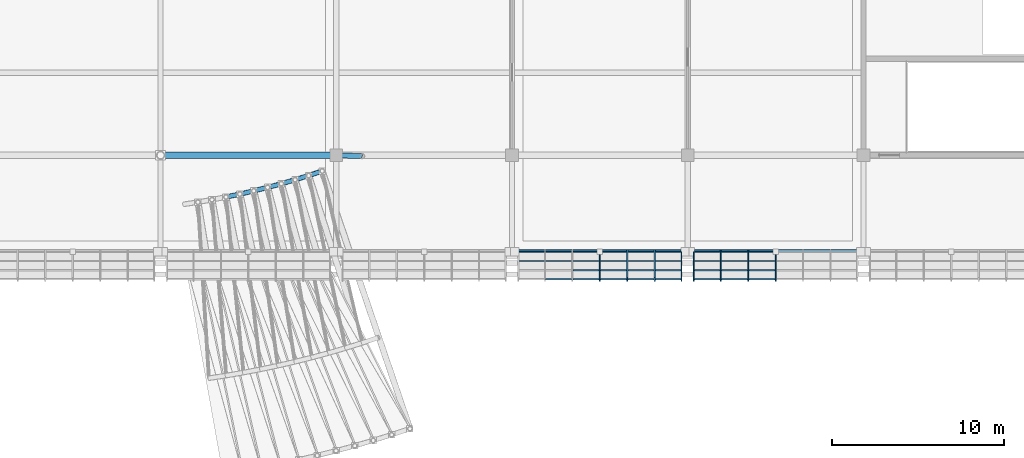
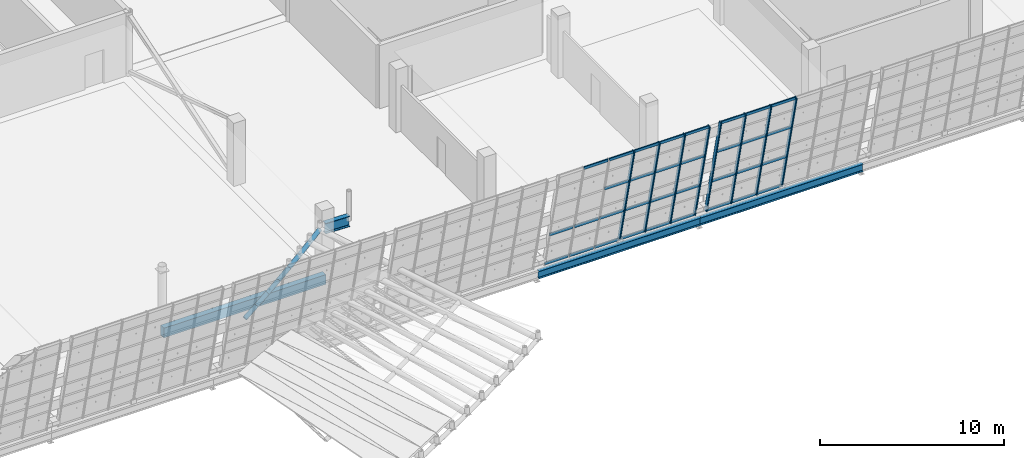
# One storey, part 51 of 157: 48 members, 4 beams, 2 elements without a shape of their own.
"""IFC4 building model written with IfcOpenShell, lengths in metres."""

import ifcopenshell
import ifcopenshell.guid

model = None  # the IFC model being written
_history = None  # IfcOwnerHistory: only IFC2X3 demands one
_inside = {}  # id of a spatial element -> (the spatial element, [elements in it])
_under = {}  # id of a project, library or spatial element -> (it, [spatial elements below it])
_declared = {}  # id of a project -> (the project, [libraries it declares])
_typed = {}  # id of a type object -> (the type object, [elements of that type])
_made_of = {}  # id of a material, layer set ... -> (it, [elements and type objects made of it])


def new_model(schema):
    """Start an empty IFC model of exactly this schema.

    Asked for "IFC4X3", IfcOpenShell would pick the latest addendum, in which some entities
    have other attributes; the version numbers below select the first issue.
    IFC2X3 requires an IfcOwnerHistory on every rooted entity: one is made here for all.
    """
    global model, _history
    if schema == "IFC4X3":
        model = ifcopenshell.file(schema_version=(4, 3, 0, 0))
    else:
        model = ifcopenshell.file(schema=schema)
    _inside.clear()
    _under.clear()
    _declared.clear()
    _typed.clear()
    _made_of.clear()
    _history = None
    if model.schema == "IFC2X3":
        org = make("IfcOrganization", Name="unknown")
        user = make(
            "IfcPersonAndOrganization",
            ThePerson=make("IfcPerson", FamilyName="unknown"),
            TheOrganization=org,
        )
        app = make(
            "IfcApplication",
            ApplicationDeveloper=org,
            Version="unknown",
            ApplicationFullName="unknown",
            ApplicationIdentifier="unknown",
        )
        _history = make(
            "IfcOwnerHistory",
            OwningUser=user,
            OwningApplication=app,
            ChangeAction="ADDED",
            CreationDate=0,
        )
    return model


def make(cls, **values):
    """One entity of the class cls with the attributes given. An attribute that is None is left unset."""
    return model.create_entity(
        cls, **{name: value for name, value in values.items() if value is not None}
    )


def rooted(cls, **values):
    """An entity with a GlobalId (a new one), such as an element, a storey or a relation."""
    return make(cls, GlobalId=ifcopenshell.guid.new(), OwnerHistory=_history, **values)


def si_unit(unit_type, name, prefix=None):
    """IfcSIUnit, for example si_unit("LENGTHUNIT", "METRE", prefix="MILLI")."""
    return make("IfcSIUnit", UnitType=unit_type, Prefix=prefix, Name=name)


def assignment(units):
    """IfcUnitAssignment: the units of a project."""
    return None if units is None else make("IfcUnitAssignment", Units=units)


def point(xyz):
    """IfcCartesianPoint."""
    return None if xyz is None else make("IfcCartesianPoint", Coordinates=xyz)


def direction(xyz):
    """IfcDirection."""
    return None if xyz is None else make("IfcDirection", DirectionRatios=xyz)


def frame(location, z_axis=None, x_axis=None):
    """IfcAxis2Placement3D, a coordinate frame: its origin and axes. An axis left out is left unset."""
    return make(
        "IfcAxis2Placement3D",
        Location=point(location),
        Axis=direction(z_axis),
        RefDirection=direction(x_axis),
    )


def frame_2d(location, x_axis=None):
    """IfcAxis2Placement2D, a coordinate frame in the plane: its origin and x axis."""
    return make(
        "IfcAxis2Placement2D", Location=point(location), RefDirection=direction(x_axis)
    )


def origin():
    """The frame at (0, 0, 0) with its axes left unset."""
    return frame((0.0, 0.0, 0.0))


def origin_2d():
    """The frame at (0, 0) in the plane with its x axis left unset."""
    return frame_2d((0.0, 0.0))


def place(relative_to, where):
    """IfcLocalPlacement: puts the frame where relative to a parent placement (None: the world)."""
    return make(
        "IfcLocalPlacement", PlacementRelTo=relative_to, RelativePlacement=where
    )


def context(
    kind, dimensions, precision=None, world=None, true_north=None, identifier=None
):
    """IfcGeometricRepresentationContext, for example the 3D "Model" context."""
    return make(
        "IfcGeometricRepresentationContext",
        ContextIdentifier=identifier,
        ContextType=kind,
        CoordinateSpaceDimension=dimensions,
        Precision=precision,
        WorldCoordinateSystem=world,
        TrueNorth=true_north,
    )


def subcontext(parent, identifier, kind, view, scale=None):
    """IfcGeometricRepresentationSubContext, for example "Body" below "Model"."""
    return make(
        "IfcGeometricRepresentationSubContext",
        ContextIdentifier=identifier,
        ContextType=kind,
        ParentContext=parent,
        TargetScale=scale,
        TargetView=view,
    )


def project(units=None, contexts=None):
    """IfcProject with its units and contexts."""
    return rooted(
        "IfcProject",
        Name="project",
        RepresentationContexts=contexts,
        UnitsInContext=assignment(units),
    )


def spatial(cls, under=None, at=None, **own):
    """A site, building, storey or space (cls), placed at a placement, below another one or the project."""
    s = rooted(cls, ObjectPlacement=at, **own)
    if under is not None:
        _under.setdefault(under.id(), (under, []))[1].append(s)
    return s


def profile(cls, at=None, kind="AREA", **sizes):
    """A parametric profile (cls). Its sizes go by their IFC names, for example OverallWidth=200.0."""
    return make(cls, ProfileType=kind, Position=at, **sizes)


def rectangle(**sizes):
    """IfcRectangleProfileDef."""
    return profile("IfcRectangleProfileDef", **sizes)


def hollow_rectangle(**sizes):
    """IfcRectangleHollowProfileDef."""
    return profile("IfcRectangleHollowProfileDef", **sizes)


def hollow_circle(**sizes):
    """IfcCircleHollowProfileDef."""
    return profile("IfcCircleHollowProfileDef", **sizes)


def i_section(**sizes):
    """IfcIShapeProfileDef."""
    return profile("IfcIShapeProfileDef", **sizes)


def extrude(swept, where, along, depth):
    """IfcExtrudedAreaSolid: the profile swept, set in the frame where, extruded along a direction by depth."""
    return make(
        "IfcExtrudedAreaSolid",
        SweptArea=swept,
        Position=where,
        ExtrudedDirection=direction(along),
        Depth=depth,
    )


def shape(context_of_items, identifier, shape_type, items):
    """IfcShapeRepresentation: the items that make up one representation, for example the "Body"."""
    return make(
        "IfcShapeRepresentation",
        ContextOfItems=context_of_items,
        RepresentationIdentifier=identifier,
        RepresentationType=shape_type,
        Items=items,
    )


def material(Name=None, Category=None):
    """IfcMaterial."""
    return make("IfcMaterial", Name=Name, Category=Category)


def material_profile(
    of_material, cross_section, Name=None, Category=None, Priority=None
):
    """IfcMaterialProfile: a cross section and its material."""
    return make(
        "IfcMaterialProfile",
        Name=Name,
        Material=of_material,
        Profile=cross_section,
        Priority=Priority,
        Category=Category,
    )


def profile_set(profiles, Name=None, composite=None):
    """IfcMaterialProfileSet."""
    return make(
        "IfcMaterialProfileSet",
        Name=Name,
        MaterialProfiles=profiles,
        CompositeProfile=composite,
    )


def made_of(thing, what):
    """Note that an element or type object is made of a material, layer set ...; save() writes the relation."""
    if what is not None:
        _made_of.setdefault(what.id(), (what, []))[1].append(thing)
    return thing


def type_object(cls, material=None, **own):
    """A type object (cls), such as IfcWallType, which elements share."""
    return made_of(rooted(cls, **own), material)


def element(
    cls,
    number,
    at=None,
    inside=None,
    cuts=None,
    type_object=None,
    material=None,
    context=None,
    identifier="Body",
    shape_type=None,
    held_by="IfcProductDefinitionShape",
    body=None,
    shapes=None,
    **own,
):
    """One element of the class cls, such as IfcWall. Its Tag is "e" and its number.

    at: its placement. inside: the storey or other place that contains it. cuts: it is an
    opening in that element (IfcRelVoidsElement). A single representation is given by context,
    identifier, shape_type and body (its items); several are given by shapes. held_by: the class
    of the entity that holds the representations. save() writes the other relations.
    """
    e = rooted(cls, Tag="e%d" % number, ObjectPlacement=at, **own)
    if body is not None:
        shapes = [shape(context, identifier, shape_type, body)]
    if shapes is not None:
        e.Representation = make(held_by, Representations=shapes)
    if inside is not None:
        _inside.setdefault(inside.id(), (inside, []))[1].append(e)
    if cuts is not None:
        rooted(
            "IfcRelVoidsElement", RelatingBuildingElement=cuts, RelatedOpeningElement=e
        )
    if type_object is not None:
        _typed.setdefault(type_object.id(), (type_object, []))[1].append(e)
    return made_of(e, material)


def aggregate(whole, parts):
    """IfcRelAggregates: a whole, such as a stair, and the parts it consists of."""
    return rooted("IfcRelAggregates", RelatingObject=whole, RelatedObjects=parts)


def save(model, path):
    """Write the relations noted so far, then the file.

    IfcRelAggregates (storeys below a building ...), IfcRelContainedInSpatialStructure (elements
    in a storey), IfcRelDefinesByType, IfcRelAssociatesMaterial and IfcRelDeclares: one each for
    every whole, place, type object, material and project.
    """
    for whole, parts in _under.values():
        aggregate(whole, parts)
    for where, things in _inside.values():
        rooted(
            "IfcRelContainedInSpatialStructure",
            RelatedElements=things,
            RelatingStructure=where,
        )
    for kind, things in _typed.values():
        rooted("IfcRelDefinesByType", RelatedObjects=things, RelatingType=kind)
    for what, things in _made_of.values():
        rooted("IfcRelAssociatesMaterial", RelatedObjects=things, RelatingMaterial=what)
    for by, libraries in _declared.values():
        rooted("IfcRelDeclares", RelatingContext=by, RelatedDefinitions=libraries)
    model.write(path)


model = new_model("IFC4")

# Units and contexts
model_context = context("Model", 3, precision=1e-05, world=origin(), true_north=direction((0.0, 1.0)))
body_context = subcontext(model_context, "Body", "Model", "MODEL_VIEW")
ifc_project = project(units=[si_unit("LENGTHUNIT", "METRE"), si_unit("AREAUNIT", "SQUARE_METRE"), si_unit("VOLUMEUNIT", "CUBIC_METRE"), si_unit("PLANEANGLEUNIT", "RADIAN"), si_unit("MASSUNIT", "GRAM", prefix="KILO")], contexts=[model_context])

# Site, building, storey
site_placement = place(None, origin())
site = spatial("IfcSite", under=ifc_project, at=site_placement, CompositionType="ELEMENT")
building_placement = place(site_placement, origin())
building = spatial("IfcBuilding", under=site, at=building_placement, Name="Brelvane Convention Centre", CompositionType="ELEMENT")
storey_placement = place(building_placement, frame((0.0, 0.0, 10.800048828125)))
storey = spatial("IfcBuildingStorey", under=building, at=storey_placement, Name="L02", CompositionType="ELEMENT", Elevation=10.800048828125)

# Curtain wall, members
ifc_material_1 = material(Name="Anodised Aluminium Alloy 6063-T6", Category="aluminium")
curtain_wall_type = type_object("IfcCurtainWallType", Name="Curtain Wall CW-HULL-S", PredefinedType="USERDEFINED", material=ifc_material_1)
curtain_wall_1_placement = place(storey_placement, origin())
curtain_wall_1 = element("IfcCurtainWall", 1, at=curtain_wall_1_placement, inside=storey, type_object=curtain_wall_type, Name="Curtain Wall CW-HULL-S L02-HULL-S-L02-18", ObjectType="UNITISED", PredefinedType="USERDEFINED")
ifc_material_2 = material(Name="Anodised Aluminium Alloy 6063-T6", Category="aluminium")
ifc_material_profile_1 = material_profile(ifc_material_2, hollow_rectangle(XDim=0.080078125, YDim=0.239990234375, WallThickness=0.006103515625, InnerFilletRadius=0.006103515625, OuterFilletRadius=0.011962890625, at=origin_2d()), Name="ALU-M 240x80x6.0")
ifc_profile_set_1 = profile_set([ifc_material_profile_1], Name="Anodised Aluminium Alloy 6063-T6")
member_type_1 = type_object("IfcMemberType", Name="Curtain Mullion CW-M1", PredefinedType="MULLION", material=ifc_profile_set_1)
member_1_placement = place(storey_placement, frame((178.5, 13.60009765625, 0.0), z_axis=(0.0, -0.228360410362, 0.973576665178), x_axis=(1.0, 0.0, 0.0)))
member_1 = element("IfcMember", 2, at=member_1_placement, type_object=member_type_1, Name="CW-HULL-S mullion 4", PredefinedType="MULLION", context=body_context, shape_type="SweptSolid", body=[
    extrude(hollow_rectangle(XDim=0.080078125, YDim=0.239990234375, WallThickness=0.006103515625, InnerFilletRadius=0.006103515625, OuterFilletRadius=0.011962890625, at=origin_2d()), origin(), (0.0, 0.0, 1.0), 7.03564453125),
])
member_2_placement = place(storey_placement, frame((180.09326171875, 13.60009765625, 0.0), z_axis=(0.0, -0.228360410362, 0.973576665178), x_axis=(1.0, 0.0, 0.0)))
member_2 = element("IfcMember", 3, at=member_2_placement, type_object=member_type_1, Name="CW-HULL-S mullion 5", PredefinedType="MULLION", context=body_context, shape_type="SweptSolid", body=[
    extrude(hollow_rectangle(XDim=0.080078125, YDim=0.239990234375, WallThickness=0.006103515625, InnerFilletRadius=0.006103515625, OuterFilletRadius=0.011962890625, at=origin_2d()), origin(), (0.0, 0.0, 1.0), 7.03564453125),
])
member_3_placement = place(storey_placement, frame((181.686767578125, 13.60009765625, 0.0), z_axis=(0.0, -0.228360410362, 0.973576665178), x_axis=(1.0, 0.0, 0.0)))
member_3 = element("IfcMember", 4, at=member_3_placement, type_object=member_type_1, Name="CW-HULL-S mullion 6", PredefinedType="MULLION", context=body_context, shape_type="SweptSolid", body=[
    extrude(hollow_rectangle(XDim=0.080078125, YDim=0.239990234375, WallThickness=0.006103515625, InnerFilletRadius=0.006103515625, OuterFilletRadius=0.011962890625, at=origin_2d()), origin(), (0.0, 0.0, 1.0), 7.03564453125),
])
member_4_placement = place(storey_placement, frame((183.239990234375, 13.60009765625, 0.0), z_axis=(0.0, -0.228360410362, 0.973576665178), x_axis=(1.0, 0.0, 0.0)))
member_4 = element("IfcMember", 5, at=member_4_placement, type_object=member_type_1, Name="CW-HULL-S mullion 7", PredefinedType="MULLION", context=body_context, shape_type="SweptSolid", body=[
    extrude(hollow_rectangle(XDim=0.080078125, YDim=0.239990234375, WallThickness=0.006103515625, InnerFilletRadius=0.006103515625, OuterFilletRadius=0.011962890625, at=origin_2d()), origin(), (0.0, 0.0, 1.0), 7.03564453125),
])

curtain_wall_2_placement = place(storey_placement, origin())
curtain_wall_2 = element("IfcCurtainWall", 6, at=curtain_wall_2_placement, inside=storey, type_object=curtain_wall_type, Name="Curtain Wall CW-HULL-S L02-HULL-S-L02-19", ObjectType="UNITISED", PredefinedType="USERDEFINED")
member_5_placement = place(storey_placement, frame((183.9599609375, 13.60009765625, 0.0), z_axis=(0.0, -0.228360410362, 0.973576665178), x_axis=(1.0, 0.0, 0.0)))
member_5 = element("IfcMember", 7, at=member_5_placement, type_object=member_type_1, Name="CW-HULL-S mullion 1", PredefinedType="MULLION", context=body_context, shape_type="SweptSolid", body=[
    extrude(hollow_rectangle(XDim=0.080078125, YDim=0.239990234375, WallThickness=0.006103515625, InnerFilletRadius=0.006103515625, OuterFilletRadius=0.011962890625, at=origin_2d()), origin(), (0.0, 0.0, 1.0), 7.03564453125),
])
member_6_placement = place(storey_placement, frame((185.513427734375, 13.60009765625, 0.0), z_axis=(0.0, -0.228360410362, 0.973576665178), x_axis=(1.0, 0.0, 0.0)))
member_6 = element("IfcMember", 8, at=member_6_placement, type_object=member_type_1, Name="CW-HULL-S mullion 2", PredefinedType="MULLION", context=body_context, shape_type="SweptSolid", body=[
    extrude(hollow_rectangle(XDim=0.080078125, YDim=0.239990234375, WallThickness=0.006103515625, InnerFilletRadius=0.006103515625, OuterFilletRadius=0.011962890625, at=origin_2d()), origin(), (0.0, 0.0, 1.0), 7.03564453125),
])
member_7_placement = place(storey_placement, frame((187.106689453125, 13.60009765625, 0.0), z_axis=(0.0, -0.228360410362, 0.973576665178), x_axis=(1.0, 0.0, 0.0)))
member_7 = element("IfcMember", 9, at=member_7_placement, type_object=member_type_1, Name="CW-HULL-S mullion 3", PredefinedType="MULLION", context=body_context, shape_type="SweptSolid", body=[
    extrude(hollow_rectangle(XDim=0.080078125, YDim=0.239990234375, WallThickness=0.006103515625, InnerFilletRadius=0.006103515625, OuterFilletRadius=0.011962890625, at=origin_2d()), origin(), (0.0, 0.0, 1.0), 7.03564453125),
])
member_8_placement = place(storey_placement, frame((188.699951171875, 13.60009765625, 0.0), z_axis=(0.0, -0.228360410362, 0.973576665178), x_axis=(1.0, 0.0, 0.0)))
member_8 = element("IfcMember", 10, at=member_8_placement, type_object=member_type_1, Name="CW-HULL-S mullion 4", PredefinedType="MULLION", context=body_context, shape_type="SweptSolid", body=[
    extrude(hollow_rectangle(XDim=0.080078125, YDim=0.239990234375, WallThickness=0.006103515625, InnerFilletRadius=0.006103515625, OuterFilletRadius=0.011962890625, at=origin_2d()), origin(), (0.0, 0.0, 1.0), 7.03564453125),
])

# Member
ifc_material_3 = material(Name="Anodised Aluminium Alloy 6063-T6", Category="aluminium")
ifc_material_profile_2 = material_profile(ifc_material_3, hollow_rectangle(XDim=0.080078125, YDim=0.179931640625, WallThickness=0.0048828125, InnerFilletRadius=0.0048828125, OuterFilletRadius=0.010009765625, at=origin_2d()), Name="ALU-T 180x80x5.0")
ifc_profile_set_2 = profile_set([ifc_material_profile_2], Name="Anodised Aluminium Alloy 6063-T6")
member_type_2 = type_object("IfcMemberType", Name="Curtain Transom CW-T1", PredefinedType="USERDEFINED", material=ifc_profile_set_2)
member_9_placement = place(storey_placement, frame((173.800048828125, 13.590576171875, 0.0400390625), z_axis=(1.0, 0.0, 0.0), x_axis=(0.0, 1.0, 0.0)))
member_9 = element("IfcMember", 11, at=member_9_placement, type_object=member_type_2, Name="CW-HULL-S transom 1.1", ObjectType="TRANSOM", PredefinedType="USERDEFINED", context=body_context, shape_type="SweptSolid", body=[
    extrude(hollow_rectangle(XDim=0.080078125, YDim=0.179931640625, WallThickness=0.0048828125, InnerFilletRadius=0.0048828125, OuterFilletRadius=0.010009765625, at=origin_2d()), origin(), (0.0, 0.0, 1.0), 1.473388671875),
])

member_10_placement = place(storey_placement, frame((173.800048828125, 13.064453125, 2.283203125), z_axis=(1.0, 0.0, 0.0), x_axis=(0.0, 1.0, 0.0)))
member_10 = element("IfcMember", 12, at=member_10_placement, type_object=member_type_2, Name="CW-HULL-S transom 1.2", ObjectType="TRANSOM", PredefinedType="USERDEFINED", context=body_context, shape_type="SweptSolid", body=[
    extrude(hollow_rectangle(XDim=0.080078125, YDim=0.179931640625, WallThickness=0.0048828125, InnerFilletRadius=0.0048828125, OuterFilletRadius=0.010009765625, at=origin_2d()), origin(), (0.0, 0.0, 1.0), 1.473388671875),
])

member_11_placement = place(storey_placement, frame((175.353271484375, 13.590576171875, 0.0400390625), z_axis=(1.0, 0.0, 0.0), x_axis=(0.0, 1.0, 0.0)))
member_11 = element("IfcMember", 13, at=member_11_placement, type_object=member_type_2, Name="CW-HULL-S transom 2.1", ObjectType="TRANSOM", PredefinedType="USERDEFINED", context=body_context, shape_type="SweptSolid", body=[
    extrude(hollow_rectangle(XDim=0.080078125, YDim=0.179931640625, WallThickness=0.0048828125, InnerFilletRadius=0.0048828125, OuterFilletRadius=0.010009765625, at=origin_2d()), origin(), (0.0, 0.0, 1.0), 1.513427734375),
])

member_12_placement = place(storey_placement, frame((175.353271484375, 13.064453125, 2.283203125), z_axis=(1.0, 0.0, 0.0), x_axis=(0.0, 1.0, 0.0)))
member_12 = element("IfcMember", 14, at=member_12_placement, type_object=member_type_2, Name="CW-HULL-S transom 2.2", ObjectType="TRANSOM", PredefinedType="USERDEFINED", context=body_context, shape_type="SweptSolid", body=[
    extrude(hollow_rectangle(XDim=0.080078125, YDim=0.179931640625, WallThickness=0.0048828125, InnerFilletRadius=0.0048828125, OuterFilletRadius=0.010009765625, at=origin_2d()), origin(), (0.0, 0.0, 1.0), 1.513427734375),
])

member_13_placement = place(storey_placement, frame((175.353271484375, 12.002685546875, 6.81005859375), z_axis=(1.0, 0.0, 0.0), x_axis=(0.0, 1.0, 0.0)))
member_13 = element("IfcMember", 15, at=member_13_placement, type_object=member_type_2, Name="CW-HULL-S transom 2.4", ObjectType="TRANSOM", PredefinedType="USERDEFINED", context=body_context, shape_type="SweptSolid", body=[
    extrude(hollow_rectangle(XDim=0.080078125, YDim=0.179931640625, WallThickness=0.0048828125, InnerFilletRadius=0.0048828125, OuterFilletRadius=0.010009765625, at=origin_2d()), origin(), (0.0, 0.0, 1.0), 1.513427734375),
])

member_14_placement = place(storey_placement, frame((176.94677734375, 13.590576171875, 0.0400390625), z_axis=(1.0, 0.0, 0.0), x_axis=(0.0, 1.0, 0.0)))
member_14 = element("IfcMember", 16, at=member_14_placement, type_object=member_type_2, Name="CW-HULL-S transom 3.1", ObjectType="TRANSOM", PredefinedType="USERDEFINED", context=body_context, shape_type="SweptSolid", body=[
    extrude(hollow_rectangle(XDim=0.080078125, YDim=0.179931640625, WallThickness=0.0048828125, InnerFilletRadius=0.0048828125, OuterFilletRadius=0.010009765625, at=origin_2d()), origin(), (0.0, 0.0, 1.0), 1.51318359375),
])

member_15_placement = place(storey_placement, frame((176.94677734375, 13.064453125, 2.283203125), z_axis=(1.0, 0.0, 0.0), x_axis=(0.0, 1.0, 0.0)))
member_15 = element("IfcMember", 17, at=member_15_placement, type_object=member_type_2, Name="CW-HULL-S transom 3.2", ObjectType="TRANSOM", PredefinedType="USERDEFINED", context=body_context, shape_type="SweptSolid", body=[
    extrude(hollow_rectangle(XDim=0.080078125, YDim=0.179931640625, WallThickness=0.0048828125, InnerFilletRadius=0.0048828125, OuterFilletRadius=0.010009765625, at=origin_2d()), origin(), (0.0, 0.0, 1.0), 1.51318359375),
])

member_16_placement = place(storey_placement, frame((176.94677734375, 12.52880859375, 4.566650390625), z_axis=(1.0, 0.0, 0.0), x_axis=(0.0, 1.0, 0.0)))
member_16 = element("IfcMember", 18, at=member_16_placement, type_object=member_type_2, Name="CW-HULL-S transom 3.3", ObjectType="TRANSOM", PredefinedType="USERDEFINED", context=body_context, shape_type="SweptSolid", body=[
    extrude(hollow_rectangle(XDim=0.080078125, YDim=0.179931640625, WallThickness=0.0048828125, InnerFilletRadius=0.0048828125, OuterFilletRadius=0.010009765625, at=origin_2d()), origin(), (0.0, 0.0, 1.0), 1.51318359375),
])

member_17_placement = place(storey_placement, frame((176.94677734375, 12.002685546875, 6.81005859375), z_axis=(1.0, 0.0, 0.0), x_axis=(0.0, 1.0, 0.0)))
member_17 = element("IfcMember", 19, at=member_17_placement, type_object=member_type_2, Name="CW-HULL-S transom 3.4", ObjectType="TRANSOM", PredefinedType="USERDEFINED", context=body_context, shape_type="SweptSolid", body=[
    extrude(hollow_rectangle(XDim=0.080078125, YDim=0.179931640625, WallThickness=0.0048828125, InnerFilletRadius=0.0048828125, OuterFilletRadius=0.010009765625, at=origin_2d()), origin(), (0.0, 0.0, 1.0), 1.51318359375),
])

member_18_placement = place(storey_placement, frame((178.5400390625, 13.590576171875, 0.0400390625), z_axis=(1.0, 0.0, 0.0), x_axis=(0.0, 1.0, 0.0)))
member_18 = element("IfcMember", 20, at=member_18_placement, type_object=member_type_2, Name="CW-HULL-S transom 4.1", ObjectType="TRANSOM", PredefinedType="USERDEFINED", context=body_context, shape_type="SweptSolid", body=[
    extrude(hollow_rectangle(XDim=0.080078125, YDim=0.179931640625, WallThickness=0.0048828125, InnerFilletRadius=0.0048828125, OuterFilletRadius=0.010009765625, at=origin_2d()), origin(), (0.0, 0.0, 1.0), 1.51318359375),
])

member_19_placement = place(storey_placement, frame((178.5400390625, 13.064453125, 2.283203125), z_axis=(1.0, 0.0, 0.0), x_axis=(0.0, 1.0, 0.0)))
member_19 = element("IfcMember", 21, at=member_19_placement, type_object=member_type_2, Name="CW-HULL-S transom 4.2", ObjectType="TRANSOM", PredefinedType="USERDEFINED", context=body_context, shape_type="SweptSolid", body=[
    extrude(hollow_rectangle(XDim=0.080078125, YDim=0.179931640625, WallThickness=0.0048828125, InnerFilletRadius=0.0048828125, OuterFilletRadius=0.010009765625, at=origin_2d()), origin(), (0.0, 0.0, 1.0), 1.51318359375),
])

member_20_placement = place(storey_placement, frame((178.5400390625, 12.52880859375, 4.566650390625), z_axis=(1.0, 0.0, 0.0), x_axis=(0.0, 1.0, 0.0)))
member_20 = element("IfcMember", 22, at=member_20_placement, type_object=member_type_2, Name="CW-HULL-S transom 4.3", ObjectType="TRANSOM", PredefinedType="USERDEFINED", context=body_context, shape_type="SweptSolid", body=[
    extrude(hollow_rectangle(XDim=0.080078125, YDim=0.179931640625, WallThickness=0.0048828125, InnerFilletRadius=0.0048828125, OuterFilletRadius=0.010009765625, at=origin_2d()), origin(), (0.0, 0.0, 1.0), 1.51318359375),
])

member_21_placement = place(storey_placement, frame((178.5400390625, 12.002685546875, 6.81005859375), z_axis=(1.0, 0.0, 0.0), x_axis=(0.0, 1.0, 0.0)))
member_21 = element("IfcMember", 23, at=member_21_placement, type_object=member_type_2, Name="CW-HULL-S transom 4.4", ObjectType="TRANSOM", PredefinedType="USERDEFINED", context=body_context, shape_type="SweptSolid", body=[
    extrude(hollow_rectangle(XDim=0.080078125, YDim=0.179931640625, WallThickness=0.0048828125, InnerFilletRadius=0.0048828125, OuterFilletRadius=0.010009765625, at=origin_2d()), origin(), (0.0, 0.0, 1.0), 1.51318359375),
])

member_22_placement = place(storey_placement, frame((180.13330078125, 13.590576171875, 0.0400390625), z_axis=(1.0, 0.0, 0.0), x_axis=(0.0, 1.0, 0.0)))
member_22 = element("IfcMember", 24, at=member_22_placement, type_object=member_type_2, Name="CW-HULL-S transom 5.1", ObjectType="TRANSOM", PredefinedType="USERDEFINED", context=body_context, shape_type="SweptSolid", body=[
    extrude(hollow_rectangle(XDim=0.080078125, YDim=0.179931640625, WallThickness=0.0048828125, InnerFilletRadius=0.0048828125, OuterFilletRadius=0.010009765625, at=origin_2d()), origin(), (0.0, 0.0, 1.0), 1.513427734375),
])

member_23_placement = place(storey_placement, frame((180.13330078125, 13.064453125, 2.283203125), z_axis=(1.0, 0.0, 0.0), x_axis=(0.0, 1.0, 0.0)))
member_23 = element("IfcMember", 25, at=member_23_placement, type_object=member_type_2, Name="CW-HULL-S transom 5.2", ObjectType="TRANSOM", PredefinedType="USERDEFINED", context=body_context, shape_type="SweptSolid", body=[
    extrude(hollow_rectangle(XDim=0.080078125, YDim=0.179931640625, WallThickness=0.0048828125, InnerFilletRadius=0.0048828125, OuterFilletRadius=0.010009765625, at=origin_2d()), origin(), (0.0, 0.0, 1.0), 1.513427734375),
])

member_24_placement = place(storey_placement, frame((180.13330078125, 12.52880859375, 4.566650390625), z_axis=(1.0, 0.0, 0.0), x_axis=(0.0, 1.0, 0.0)))
member_24 = element("IfcMember", 26, at=member_24_placement, type_object=member_type_2, Name="CW-HULL-S transom 5.3", ObjectType="TRANSOM", PredefinedType="USERDEFINED", context=body_context, shape_type="SweptSolid", body=[
    extrude(hollow_rectangle(XDim=0.080078125, YDim=0.179931640625, WallThickness=0.0048828125, InnerFilletRadius=0.0048828125, OuterFilletRadius=0.010009765625, at=origin_2d()), origin(), (0.0, 0.0, 1.0), 1.513427734375),
])

member_25_placement = place(storey_placement, frame((180.13330078125, 12.002685546875, 6.81005859375), z_axis=(1.0, 0.0, 0.0), x_axis=(0.0, 1.0, 0.0)))
member_25 = element("IfcMember", 27, at=member_25_placement, type_object=member_type_2, Name="CW-HULL-S transom 5.4", ObjectType="TRANSOM", PredefinedType="USERDEFINED", context=body_context, shape_type="SweptSolid", body=[
    extrude(hollow_rectangle(XDim=0.080078125, YDim=0.179931640625, WallThickness=0.0048828125, InnerFilletRadius=0.0048828125, OuterFilletRadius=0.010009765625, at=origin_2d()), origin(), (0.0, 0.0, 1.0), 1.513427734375),
])

member_26_placement = place(storey_placement, frame((181.7265625, 13.590576171875, 0.0400390625), z_axis=(1.0, 0.0, 0.0), x_axis=(0.0, 1.0, 0.0)))
member_26 = element("IfcMember", 28, at=member_26_placement, type_object=member_type_2, Name="CW-HULL-S transom 6.1", ObjectType="TRANSOM", PredefinedType="USERDEFINED", context=body_context, shape_type="SweptSolid", body=[
    extrude(hollow_rectangle(XDim=0.080078125, YDim=0.179931640625, WallThickness=0.0048828125, InnerFilletRadius=0.0048828125, OuterFilletRadius=0.010009765625, at=origin_2d()), origin(), (0.0, 0.0, 1.0), 1.473388671875),
])

member_27_placement = place(storey_placement, frame((181.7265625, 13.064453125, 2.283203125), z_axis=(1.0, 0.0, 0.0), x_axis=(0.0, 1.0, 0.0)))
member_27 = element("IfcMember", 29, at=member_27_placement, type_object=member_type_2, Name="CW-HULL-S transom 6.2", ObjectType="TRANSOM", PredefinedType="USERDEFINED", context=body_context, shape_type="SweptSolid", body=[
    extrude(hollow_rectangle(XDim=0.080078125, YDim=0.179931640625, WallThickness=0.0048828125, InnerFilletRadius=0.0048828125, OuterFilletRadius=0.010009765625, at=origin_2d()), origin(), (0.0, 0.0, 1.0), 1.473388671875),
])

member_28_placement = place(storey_placement, frame((181.7265625, 12.52880859375, 4.566650390625), z_axis=(1.0, 0.0, 0.0), x_axis=(0.0, 1.0, 0.0)))
member_28 = element("IfcMember", 30, at=member_28_placement, type_object=member_type_2, Name="CW-HULL-S transom 6.3", ObjectType="TRANSOM", PredefinedType="USERDEFINED", context=body_context, shape_type="SweptSolid", body=[
    extrude(hollow_rectangle(XDim=0.080078125, YDim=0.179931640625, WallThickness=0.0048828125, InnerFilletRadius=0.0048828125, OuterFilletRadius=0.010009765625, at=origin_2d()), origin(), (0.0, 0.0, 1.0), 1.473388671875),
])

member_29_placement = place(storey_placement, frame((181.7265625, 12.002685546875, 6.81005859375), z_axis=(1.0, 0.0, 0.0), x_axis=(0.0, 1.0, 0.0)))
member_29 = element("IfcMember", 31, at=member_29_placement, type_object=member_type_2, Name="CW-HULL-S transom 6.4", ObjectType="TRANSOM", PredefinedType="USERDEFINED", context=body_context, shape_type="SweptSolid", body=[
    extrude(hollow_rectangle(XDim=0.080078125, YDim=0.179931640625, WallThickness=0.0048828125, InnerFilletRadius=0.0048828125, OuterFilletRadius=0.010009765625, at=origin_2d()), origin(), (0.0, 0.0, 1.0), 1.473388671875),
])

aggregate(curtain_wall_1, [member_1, member_2, member_3, member_4, member_9, member_10, member_11, member_12, member_13, member_14, member_15, member_16, member_17, member_18, member_19, member_20, member_21, member_22, member_23, member_24, member_25, member_26, member_27, member_28, member_29])

member_30_placement = place(storey_placement, frame((184.0, 13.590576171875, 0.0400390625), z_axis=(1.0, 0.0, 0.0), x_axis=(0.0, 1.0, 0.0)))
member_30 = element("IfcMember", 32, at=member_30_placement, type_object=member_type_2, Name="CW-HULL-S transom 1.1", ObjectType="TRANSOM", PredefinedType="USERDEFINED", context=body_context, shape_type="SweptSolid", body=[
    extrude(hollow_rectangle(XDim=0.080078125, YDim=0.179931640625, WallThickness=0.0048828125, InnerFilletRadius=0.0048828125, OuterFilletRadius=0.010009765625, at=origin_2d()), origin(), (0.0, 0.0, 1.0), 1.473388671875),
])

member_31_placement = place(storey_placement, frame((184.0, 13.064453125, 2.283203125), z_axis=(1.0, 0.0, 0.0), x_axis=(0.0, 1.0, 0.0)))
member_31 = element("IfcMember", 33, at=member_31_placement, type_object=member_type_2, Name="CW-HULL-S transom 1.2", ObjectType="TRANSOM", PredefinedType="USERDEFINED", context=body_context, shape_type="SweptSolid", body=[
    extrude(hollow_rectangle(XDim=0.080078125, YDim=0.179931640625, WallThickness=0.0048828125, InnerFilletRadius=0.0048828125, OuterFilletRadius=0.010009765625, at=origin_2d()), origin(), (0.0, 0.0, 1.0), 1.473388671875),
])

member_32_placement = place(storey_placement, frame((184.0, 12.52880859375, 4.566650390625), z_axis=(1.0, 0.0, 0.0), x_axis=(0.0, 1.0, 0.0)))
member_32 = element("IfcMember", 34, at=member_32_placement, type_object=member_type_2, Name="CW-HULL-S transom 1.3", ObjectType="TRANSOM", PredefinedType="USERDEFINED", context=body_context, shape_type="SweptSolid", body=[
    extrude(hollow_rectangle(XDim=0.080078125, YDim=0.179931640625, WallThickness=0.0048828125, InnerFilletRadius=0.0048828125, OuterFilletRadius=0.010009765625, at=origin_2d()), origin(), (0.0, 0.0, 1.0), 1.473388671875),
])

member_33_placement = place(storey_placement, frame((184.0, 12.002685546875, 6.81005859375), z_axis=(1.0, 0.0, 0.0), x_axis=(0.0, 1.0, 0.0)))
member_33 = element("IfcMember", 35, at=member_33_placement, type_object=member_type_2, Name="CW-HULL-S transom 1.4", ObjectType="TRANSOM", PredefinedType="USERDEFINED", context=body_context, shape_type="SweptSolid", body=[
    extrude(hollow_rectangle(XDim=0.080078125, YDim=0.179931640625, WallThickness=0.0048828125, InnerFilletRadius=0.0048828125, OuterFilletRadius=0.010009765625, at=origin_2d()), origin(), (0.0, 0.0, 1.0), 1.473388671875),
])

member_34_placement = place(storey_placement, frame((185.55322265625, 13.590576171875, 0.0400390625), z_axis=(1.0, 0.0, 0.0), x_axis=(0.0, 1.0, 0.0)))
member_34 = element("IfcMember", 36, at=member_34_placement, type_object=member_type_2, Name="CW-HULL-S transom 2.1", ObjectType="TRANSOM", PredefinedType="USERDEFINED", context=body_context, shape_type="SweptSolid", body=[
    extrude(hollow_rectangle(XDim=0.080078125, YDim=0.179931640625, WallThickness=0.0048828125, InnerFilletRadius=0.0048828125, OuterFilletRadius=0.010009765625, at=origin_2d()), origin(), (0.0, 0.0, 1.0), 1.513427734375),
])

member_35_placement = place(storey_placement, frame((185.55322265625, 13.064453125, 2.283203125), z_axis=(1.0, 0.0, 0.0), x_axis=(0.0, 1.0, 0.0)))
member_35 = element("IfcMember", 37, at=member_35_placement, type_object=member_type_2, Name="CW-HULL-S transom 2.2", ObjectType="TRANSOM", PredefinedType="USERDEFINED", context=body_context, shape_type="SweptSolid", body=[
    extrude(hollow_rectangle(XDim=0.080078125, YDim=0.179931640625, WallThickness=0.0048828125, InnerFilletRadius=0.0048828125, OuterFilletRadius=0.010009765625, at=origin_2d()), origin(), (0.0, 0.0, 1.0), 1.513427734375),
])

member_36_placement = place(storey_placement, frame((185.55322265625, 12.52880859375, 4.566650390625), z_axis=(1.0, 0.0, 0.0), x_axis=(0.0, 1.0, 0.0)))
member_36 = element("IfcMember", 38, at=member_36_placement, type_object=member_type_2, Name="CW-HULL-S transom 2.3", ObjectType="TRANSOM", PredefinedType="USERDEFINED", context=body_context, shape_type="SweptSolid", body=[
    extrude(hollow_rectangle(XDim=0.080078125, YDim=0.179931640625, WallThickness=0.0048828125, InnerFilletRadius=0.0048828125, OuterFilletRadius=0.010009765625, at=origin_2d()), origin(), (0.0, 0.0, 1.0), 1.513427734375),
])

member_37_placement = place(storey_placement, frame((185.55322265625, 12.002685546875, 6.81005859375), z_axis=(1.0, 0.0, 0.0), x_axis=(0.0, 1.0, 0.0)))
member_37 = element("IfcMember", 39, at=member_37_placement, type_object=member_type_2, Name="CW-HULL-S transom 2.4", ObjectType="TRANSOM", PredefinedType="USERDEFINED", context=body_context, shape_type="SweptSolid", body=[
    extrude(hollow_rectangle(XDim=0.080078125, YDim=0.179931640625, WallThickness=0.0048828125, InnerFilletRadius=0.0048828125, OuterFilletRadius=0.010009765625, at=origin_2d()), origin(), (0.0, 0.0, 1.0), 1.513427734375),
])

member_38_placement = place(storey_placement, frame((187.146728515625, 13.590576171875, 0.0400390625), z_axis=(1.0, 0.0, 0.0), x_axis=(0.0, 1.0, 0.0)))
member_38 = element("IfcMember", 40, at=member_38_placement, type_object=member_type_2, Name="CW-HULL-S transom 3.1", ObjectType="TRANSOM", PredefinedType="USERDEFINED", context=body_context, shape_type="SweptSolid", body=[
    extrude(hollow_rectangle(XDim=0.080078125, YDim=0.179931640625, WallThickness=0.0048828125, InnerFilletRadius=0.0048828125, OuterFilletRadius=0.010009765625, at=origin_2d()), origin(), (0.0, 0.0, 1.0), 1.51318359375),
])

member_39_placement = place(storey_placement, frame((187.146728515625, 13.064453125, 2.283203125), z_axis=(1.0, 0.0, 0.0), x_axis=(0.0, 1.0, 0.0)))
member_39 = element("IfcMember", 41, at=member_39_placement, type_object=member_type_2, Name="CW-HULL-S transom 3.2", ObjectType="TRANSOM", PredefinedType="USERDEFINED", context=body_context, shape_type="SweptSolid", body=[
    extrude(hollow_rectangle(XDim=0.080078125, YDim=0.179931640625, WallThickness=0.0048828125, InnerFilletRadius=0.0048828125, OuterFilletRadius=0.010009765625, at=origin_2d()), origin(), (0.0, 0.0, 1.0), 1.51318359375),
])

member_40_placement = place(storey_placement, frame((187.146728515625, 12.52880859375, 4.566650390625), z_axis=(1.0, 0.0, 0.0), x_axis=(0.0, 1.0, 0.0)))
member_40 = element("IfcMember", 42, at=member_40_placement, type_object=member_type_2, Name="CW-HULL-S transom 3.3", ObjectType="TRANSOM", PredefinedType="USERDEFINED", context=body_context, shape_type="SweptSolid", body=[
    extrude(hollow_rectangle(XDim=0.080078125, YDim=0.179931640625, WallThickness=0.0048828125, InnerFilletRadius=0.0048828125, OuterFilletRadius=0.010009765625, at=origin_2d()), origin(), (0.0, 0.0, 1.0), 1.51318359375),
])

member_41_placement = place(storey_placement, frame((187.146728515625, 12.002685546875, 6.81005859375), z_axis=(1.0, 0.0, 0.0), x_axis=(0.0, 1.0, 0.0)))
member_41 = element("IfcMember", 43, at=member_41_placement, type_object=member_type_2, Name="CW-HULL-S transom 3.4", ObjectType="TRANSOM", PredefinedType="USERDEFINED", context=body_context, shape_type="SweptSolid", body=[
    extrude(hollow_rectangle(XDim=0.080078125, YDim=0.179931640625, WallThickness=0.0048828125, InnerFilletRadius=0.0048828125, OuterFilletRadius=0.010009765625, at=origin_2d()), origin(), (0.0, 0.0, 1.0), 1.51318359375),
])

aggregate(curtain_wall_2, [member_5, member_6, member_7, member_8, member_30, member_31, member_32, member_33, member_34, member_35, member_36, member_37, member_38, member_39, member_40, member_41])

# Beams
ifc_material_4 = material(Name="Concrete M40", Category="concrete")
ifc_material_profile_3 = material_profile(ifc_material_4, rectangle(XDim=0.360107421875, YDim=0.639892578125, at=origin_2d()), Name="RC 360x640")
ifc_profile_set_3 = profile_set([ifc_material_profile_3], Name="Concrete M40")
beam_type_1 = type_object("IfcBeamType", Name="RC Spandrel SP-RC3 (RC 360x640)", PredefinedType="SPANDREL", material=ifc_profile_set_3)
beam_1_placement = place(storey_placement, frame((153.0, 19.199951171875, -0.60009765625), z_axis=(1.0, 0.0, 0.0), x_axis=(0.0, 1.0, 0.0)))
element("IfcBeam", 44, at=beam_1_placement, inside=storey, type_object=beam_type_1, Name="L02 Beam 16-17/C", PredefinedType="SPANDREL", context=body_context, shape_type="SweptSolid", body=[
    extrude(rectangle(XDim=0.360107421875, YDim=0.639892578125, at=origin_2d()), origin(), (0.0, 0.0, 1.0), 10.199951171875),
])
ifc_material_5 = material(Name="Steel E450 (450 MPa)", Category="steel")
ifc_material_profile_4 = material_profile(ifc_material_5, i_section(OverallWidth=0.300048828125, OverallDepth=0.699951171875, WebThickness=0.014892578125, FlangeThickness=0.028076171875, FilletRadius=0.02392578125, at=origin_2d()), Name="NPB 700x300")
ifc_profile_set_4 = profile_set([ifc_material_profile_4], Name="Steel E450 (450 MPa)")
beam_type_2 = type_object("IfcBeamType", Name="Steel Beam B-ST3 (NPB 700x300)", PredefinedType="BEAM", material=ifc_profile_set_4)
beam_2_placement = place(storey_placement, frame((163.199951171875, 19.199951171875, 2.75), z_axis=(0.999400025708, -0.034635077814, 0.0), x_axis=(0.034635077814, 0.999400025708, 0.0)))
element("IfcBeam", 45, at=beam_2_placement, inside=storey, type_object=beam_type_2, Name="Canopy Root Tie Girder IN", PredefinedType="BEAM", context=body_context, shape_type="SweptSolid", body=[
    extrude(i_section(OverallWidth=0.300048828125, OverallDepth=0.699951171875, WebThickness=0.014892578125, FlangeThickness=0.028076171875, FilletRadius=0.02392578125, at=origin_2d()), origin(), (0.0, 0.0, 1.0), 1.508544921875),
])

# Members
ifc_material_6 = material(Name="Steel E450 (450 MPa)", Category="steel")
ifc_material_profile_5 = material_profile(ifc_material_6, hollow_circle(Radius=0.136474609375, WallThickness=0.012451171875, at=origin_2d()), Name="CHS 273.0x12.5")
ifc_profile_set_5 = profile_set([ifc_material_profile_5], Name="Steel E450 (450 MPa)")
member_type_3 = type_object("IfcMemberType", Name="Steel Chord CN-CH1 (CHS 273.0x12.5)", PredefinedType="CHORD", material=ifc_profile_set_5)
member_42_placement = place(storey_placement, frame((162.38232421875, 18.28271484375, 3.4765625), z_axis=(-0.845137968944, -0.279260696608, -0.455801795498), x_axis=(0.313747402791, -0.949506486151, 0.0)))
element("IfcMember", 46, at=member_42_placement, inside=storey, type_object=member_type_3, Name="Boulevard Canopy Arc Chord IN-03", PredefinedType="CHORD", context=body_context, shape_type="SweptSolid", body=[
    extrude(hollow_circle(Radius=0.136474609375, WallThickness=0.012451171875, at=origin_2d()), origin(), (0.0, 0.0, 1.0), 0.92919921875),
])
member_43_placement = place(storey_placement, frame((161.596923828125, 18.023193359375, 3.052978515625), z_axis=(-0.848332998728, -0.262941284834, -0.459557400114), x_axis=(0.296055684208, -0.95517068205, 0.0)))
element("IfcMember", 47, at=member_43_placement, inside=storey, type_object=member_type_3, Name="Boulevard Canopy Arc Chord IN-04", PredefinedType="CHORD", context=body_context, shape_type="SweptSolid", body=[
    extrude(hollow_circle(Radius=0.136474609375, WallThickness=0.012451171875, at=origin_2d()), origin(), (0.0, 0.0, 1.0), 0.931396484375),
])
member_44_placement = place(storey_placement, frame((160.806884765625, 17.7783203125, 2.625), z_axis=(-0.851124628419, -0.246729334337, -0.463369725463), x_axis=(0.278423679734, -0.960458356496, 0.0)))
element("IfcMember", 48, at=member_44_placement, inside=storey, type_object=member_type_3, Name="Boulevard Canopy Arc Chord IN-05", PredefinedType="CHORD", context=body_context, shape_type="SweptSolid", body=[
    extrude(hollow_circle(Radius=0.136474609375, WallThickness=0.012451171875, at=origin_2d()), origin(), (0.0, 0.0, 1.0), 0.93310546875),
])
member_45_placement = place(storey_placement, frame((160.0126953125, 17.548095703125, 2.192626953125), z_axis=(-0.853681454933, -0.230188640554, -0.467162887292), x_axis=(0.260343949259, -0.965515938804, 0.0)))
element("IfcMember", 49, at=member_45_placement, inside=storey, type_object=member_type_3, Name="Boulevard Canopy Arc Chord IN-06", PredefinedType="CHORD", context=body_context, shape_type="SweptSolid", body=[
    extrude(hollow_circle(Radius=0.136474609375, WallThickness=0.012451171875, at=origin_2d()), origin(), (0.0, 0.0, 1.0), 0.935546875),
])
member_46_placement = place(storey_placement, frame((159.214111328125, 17.332763671875, 1.755615234375), z_axis=(-0.855940999194, -0.213789948384, -0.47080660984), x_axis=(0.242327270425, -0.970194565027, 0.0)))
element("IfcMember", 50, at=member_46_placement, inside=storey, type_object=member_type_3, Name="Boulevard Canopy Arc Chord IN-07", PredefinedType="CHORD", context=body_context, shape_type="SweptSolid", body=[
    extrude(hollow_circle(Radius=0.136474609375, WallThickness=0.012451171875, at=origin_2d()), origin(), (0.0, 0.0, 1.0), 0.9375),
])
member_47_placement = place(storey_placement, frame((158.41162109375, 17.13232421875, 1.314208984375), z_axis=(-0.857702679473, -0.197471686277, -0.474711540563), x_axis=(0.224363582316, -0.974505506875, 0.0)))
element("IfcMember", 51, at=member_47_placement, inside=storey, type_object=member_type_3, Name="Boulevard Canopy Arc Chord IN-08", PredefinedType="CHORD", context=body_context, shape_type="SweptSolid", body=[
    extrude(hollow_circle(Radius=0.136474609375, WallThickness=0.012451171875, at=origin_2d()), origin(), (0.0, 0.0, 1.0), 0.939697265625),
])
member_48_placement = place(storey_placement, frame((157.605712890625, 16.94677734375, 0.8681640625), z_axis=(-0.859320271028, -0.181196039049, -0.478264223242), x_axis=(0.206322863864, -0.978483968109, 0.0)))
element("IfcMember", 52, at=member_48_placement, inside=storey, type_object=member_type_3, Name="Boulevard Canopy Arc Chord IN-09", PredefinedType="CHORD", context=body_context, shape_type="SweptSolid", body=[
    extrude(hollow_circle(Radius=0.136474609375, WallThickness=0.012451171875, at=origin_2d()), origin(), (0.0, 0.0, 1.0), 0.94189453125),
])

# Beams
ifc_material_7 = material(Name="Steel E350 (350 MPa)", Category="steel")
ifc_material_profile_6 = material_profile(ifc_material_7, i_section(OverallWidth=0.25, OverallDepth=0.5, WebThickness=0.010009765625, FlangeThickness=0.0146484375, FilletRadius=0.01611328125, at=origin_2d()), Name="ISWB 500")
ifc_profile_set_6 = profile_set([ifc_material_profile_6], Name="Steel E350 (350 MPa)")
beam_type_3 = type_object("IfcBeamType", Name="Steel Spandrel SP-ST1 (ISWB 500)", PredefinedType="SPANDREL", material=ifc_profile_set_6)
beam_3_placement = place(storey_placement, frame((173.39990234375, 13.60009765625, -0.530029296875), z_axis=(1.0, 0.0, 0.0), x_axis=(0.0, 1.0, 0.0)))
element("IfcBeam", 53, at=beam_3_placement, inside=storey, type_object=beam_type_3, Name="L02 Hull Overhang Edge Spandrel 18", PredefinedType="SPANDREL", context=body_context, shape_type="SweptSolid", body=[
    extrude(i_section(OverallWidth=0.25, OverallDepth=0.5, WebThickness=0.010009765625, FlangeThickness=0.0146484375, FilletRadius=0.01611328125, at=origin_2d()), origin(), (0.0, 0.0, 1.0), 10.2001953125),
])
beam_4_placement = place(storey_placement, frame((183.60009765625, 13.60009765625, -0.530029296875), z_axis=(1.0, 0.0, 0.0), x_axis=(0.0, 1.0, 0.0)))
element("IfcBeam", 54, at=beam_4_placement, inside=storey, type_object=beam_type_3, Name="L02 Hull Overhang Edge Spandrel 19", PredefinedType="SPANDREL", context=body_context, shape_type="SweptSolid", body=[
    extrude(i_section(OverallWidth=0.25, OverallDepth=0.5, WebThickness=0.010009765625, FlangeThickness=0.0146484375, FilletRadius=0.01611328125, at=origin_2d()), origin(), (0.0, 0.0, 1.0), 10.199951171875),
])

save(model, "model.ifc")
